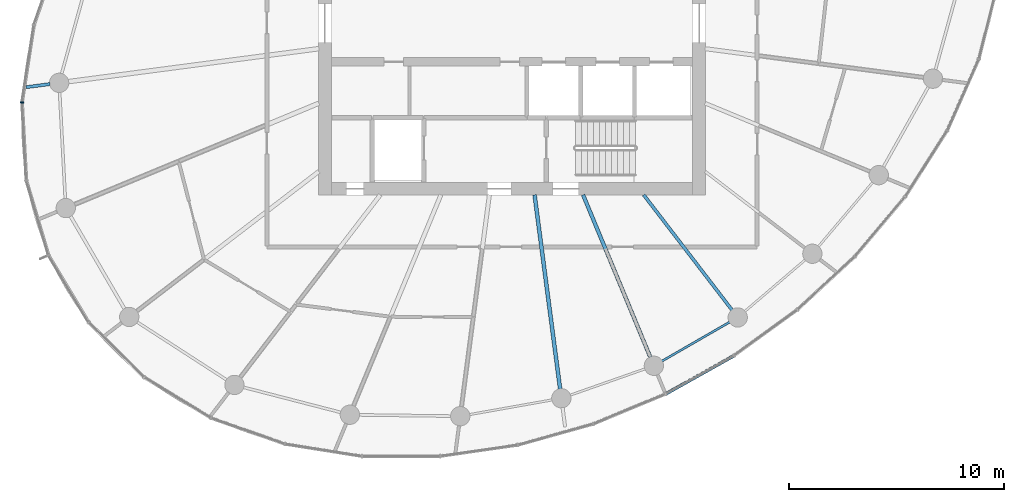
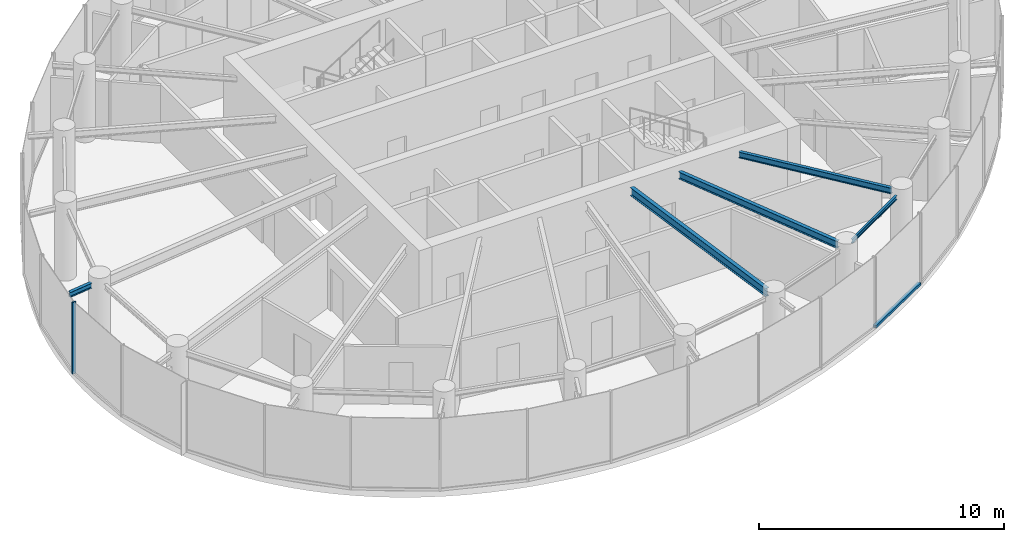
# One storey, part 3 of 14: 5 beams, 2 members, 2 elements without a shape of their own.
"""IFC4 building model written with IfcOpenShell, lengths in metres."""

import ifcopenshell
import ifcopenshell.guid

model = None  # the IFC model being written
_history = None  # IfcOwnerHistory: only IFC2X3 demands one
_inside = {}  # id of a spatial element -> (the spatial element, [elements in it])
_under = {}  # id of a project, library or spatial element -> (it, [spatial elements below it])
_declared = {}  # id of a project -> (the project, [libraries it declares])
_typed = {}  # id of a type object -> (the type object, [elements of that type])
_made_of = {}  # id of a material, layer set ... -> (it, [elements and type objects made of it])


def new_model(schema):
    """Start an empty IFC model of exactly this schema.

    Asked for "IFC4X3", IfcOpenShell would pick the latest addendum, in which some entities
    have other attributes; the version numbers below select the first issue.
    IFC2X3 requires an IfcOwnerHistory on every rooted entity: one is made here for all.
    """
    global model, _history
    if schema == "IFC4X3":
        model = ifcopenshell.file(schema_version=(4, 3, 0, 0))
    else:
        model = ifcopenshell.file(schema=schema)
    _inside.clear()
    _under.clear()
    _declared.clear()
    _typed.clear()
    _made_of.clear()
    _history = None
    if model.schema == "IFC2X3":
        org = make("IfcOrganization", Name="unknown")
        user = make(
            "IfcPersonAndOrganization",
            ThePerson=make("IfcPerson", FamilyName="unknown"),
            TheOrganization=org,
        )
        app = make(
            "IfcApplication",
            ApplicationDeveloper=org,
            Version="unknown",
            ApplicationFullName="unknown",
            ApplicationIdentifier="unknown",
        )
        _history = make(
            "IfcOwnerHistory",
            OwningUser=user,
            OwningApplication=app,
            ChangeAction="ADDED",
            CreationDate=0,
        )
    return model


def make(cls, **values):
    """One entity of the class cls with the attributes given. An attribute that is None is left unset."""
    return model.create_entity(
        cls, **{name: value for name, value in values.items() if value is not None}
    )


def rooted(cls, **values):
    """An entity with a GlobalId (a new one), such as an element, a storey or a relation."""
    return make(cls, GlobalId=ifcopenshell.guid.new(), OwnerHistory=_history, **values)


def si_unit(unit_type, name, prefix=None):
    """IfcSIUnit, for example si_unit("LENGTHUNIT", "METRE", prefix="MILLI")."""
    return make("IfcSIUnit", UnitType=unit_type, Prefix=prefix, Name=name)


def assignment(units):
    """IfcUnitAssignment: the units of a project."""
    return None if units is None else make("IfcUnitAssignment", Units=units)


def point(xyz):
    """IfcCartesianPoint."""
    return None if xyz is None else make("IfcCartesianPoint", Coordinates=xyz)


def direction(xyz):
    """IfcDirection."""
    return None if xyz is None else make("IfcDirection", DirectionRatios=xyz)


def frame(location, z_axis=None, x_axis=None):
    """IfcAxis2Placement3D, a coordinate frame: its origin and axes. An axis left out is left unset."""
    return make(
        "IfcAxis2Placement3D",
        Location=point(location),
        Axis=direction(z_axis),
        RefDirection=direction(x_axis),
    )


def frame_2d(location, x_axis=None):
    """IfcAxis2Placement2D, a coordinate frame in the plane: its origin and x axis."""
    return make(
        "IfcAxis2Placement2D", Location=point(location), RefDirection=direction(x_axis)
    )


def origin():
    """The frame at (0, 0, 0) with its axes left unset."""
    return frame((0.0, 0.0, 0.0))


def origin_2d():
    """The frame at (0, 0) in the plane with its x axis left unset."""
    return frame_2d((0.0, 0.0))


def place(relative_to, where):
    """IfcLocalPlacement: puts the frame where relative to a parent placement (None: the world)."""
    return make(
        "IfcLocalPlacement", PlacementRelTo=relative_to, RelativePlacement=where
    )


def context(
    kind, dimensions, precision=None, world=None, true_north=None, identifier=None
):
    """IfcGeometricRepresentationContext, for example the 3D "Model" context."""
    return make(
        "IfcGeometricRepresentationContext",
        ContextIdentifier=identifier,
        ContextType=kind,
        CoordinateSpaceDimension=dimensions,
        Precision=precision,
        WorldCoordinateSystem=world,
        TrueNorth=true_north,
    )


def subcontext(parent, identifier, kind, view, scale=None):
    """IfcGeometricRepresentationSubContext, for example "Body" below "Model"."""
    return make(
        "IfcGeometricRepresentationSubContext",
        ContextIdentifier=identifier,
        ContextType=kind,
        ParentContext=parent,
        TargetScale=scale,
        TargetView=view,
    )


def project(units=None, contexts=None):
    """IfcProject with its units and contexts."""
    return rooted(
        "IfcProject",
        Name="project",
        RepresentationContexts=contexts,
        UnitsInContext=assignment(units),
    )


def spatial(cls, under=None, at=None, **own):
    """A site, building, storey or space (cls), placed at a placement, below another one or the project."""
    s = rooted(cls, ObjectPlacement=at, **own)
    if under is not None:
        _under.setdefault(under.id(), (under, []))[1].append(s)
    return s


def profile(cls, at=None, kind="AREA", **sizes):
    """A parametric profile (cls). Its sizes go by their IFC names, for example OverallWidth=200.0."""
    return make(cls, ProfileType=kind, Position=at, **sizes)


def rectangle(**sizes):
    """IfcRectangleProfileDef."""
    return profile("IfcRectangleProfileDef", **sizes)


def i_section(**sizes):
    """IfcIShapeProfileDef."""
    return profile("IfcIShapeProfileDef", **sizes)


def extrude(swept, where, along, depth):
    """IfcExtrudedAreaSolid: the profile swept, set in the frame where, extruded along a direction by depth."""
    return make(
        "IfcExtrudedAreaSolid",
        SweptArea=swept,
        Position=where,
        ExtrudedDirection=direction(along),
        Depth=depth,
    )


def shape(context_of_items, identifier, shape_type, items):
    """IfcShapeRepresentation: the items that make up one representation, for example the "Body"."""
    return make(
        "IfcShapeRepresentation",
        ContextOfItems=context_of_items,
        RepresentationIdentifier=identifier,
        RepresentationType=shape_type,
        Items=items,
    )


def source(mapping_origin, context_of_items, identifier, shape_type, items):
    """IfcRepresentationMap: a shape defined once, which mapped items show again and again."""
    return make(
        "IfcRepresentationMap",
        MappingOrigin=mapping_origin,
        MappedRepresentation=shape(context_of_items, identifier, shape_type, items),
    )


def transform(
    local_origin,
    x_axis=None,
    y_axis=None,
    z_axis=None,
    scale=None,
    scale2=None,
    scale3=None,
    uniform=True,
):
    """IfcCartesianTransformationOperator3D, or its non-uniform kind. x_axis, y_axis, z_axis: its Axis1, 2, 3."""
    if uniform:
        return make(
            "IfcCartesianTransformationOperator3D",
            Axis1=direction(x_axis),
            Axis2=direction(y_axis),
            LocalOrigin=point(local_origin),
            Scale=scale,
            Axis3=direction(z_axis),
        )
    return make(
        "IfcCartesianTransformationOperator3DnonUniform",
        Axis1=direction(x_axis),
        Axis2=direction(y_axis),
        LocalOrigin=point(local_origin),
        Scale=scale,
        Axis3=direction(z_axis),
        Scale2=scale2,
        Scale3=scale3,
    )


def mapped(mapping_source, mapping_target):
    """IfcMappedItem: shows the shape of a source again, moved by a transform."""
    return make(
        "IfcMappedItem", MappingSource=mapping_source, MappingTarget=mapping_target
    )


def material(Name=None, Category=None):
    """IfcMaterial."""
    return make("IfcMaterial", Name=Name, Category=Category)


def layer(
    of_material, thickness, ventilated=None, Name=None, Category=None, Priority=None
):
    """IfcMaterialLayer: one layer of a wall or slab, of a material (None: an air gap)."""
    return make(
        "IfcMaterialLayer",
        Material=of_material,
        LayerThickness=thickness,
        IsVentilated=ventilated,
        Name=Name,
        Category=Category,
        Priority=Priority,
    )


def layer_set(layers, Name=None):
    """IfcMaterialLayerSet."""
    return make("IfcMaterialLayerSet", MaterialLayers=layers, LayerSetName=Name)


def material_profile(
    of_material, cross_section, Name=None, Category=None, Priority=None
):
    """IfcMaterialProfile: a cross section and its material."""
    return make(
        "IfcMaterialProfile",
        Name=Name,
        Material=of_material,
        Profile=cross_section,
        Priority=Priority,
        Category=Category,
    )


def profile_set(profiles, Name=None, composite=None):
    """IfcMaterialProfileSet."""
    return make(
        "IfcMaterialProfileSet",
        Name=Name,
        MaterialProfiles=profiles,
        CompositeProfile=composite,
    )


def made_of(thing, what):
    """Note that an element or type object is made of a material, layer set ...; save() writes the relation."""
    if what is not None:
        _made_of.setdefault(what.id(), (what, []))[1].append(thing)
    return thing


def type_object(cls, material=None, **own):
    """A type object (cls), such as IfcWallType, which elements share."""
    return made_of(rooted(cls, **own), material)


def element(
    cls,
    number,
    at=None,
    inside=None,
    cuts=None,
    type_object=None,
    material=None,
    context=None,
    identifier="Body",
    shape_type=None,
    held_by="IfcProductDefinitionShape",
    body=None,
    shapes=None,
    **own,
):
    """One element of the class cls, such as IfcWall. Its Tag is "e" and its number.

    at: its placement. inside: the storey or other place that contains it. cuts: it is an
    opening in that element (IfcRelVoidsElement). A single representation is given by context,
    identifier, shape_type and body (its items); several are given by shapes. held_by: the class
    of the entity that holds the representations. save() writes the other relations.
    """
    e = rooted(cls, Tag="e%d" % number, ObjectPlacement=at, **own)
    if body is not None:
        shapes = [shape(context, identifier, shape_type, body)]
    if shapes is not None:
        e.Representation = make(held_by, Representations=shapes)
    if inside is not None:
        _inside.setdefault(inside.id(), (inside, []))[1].append(e)
    if cuts is not None:
        rooted(
            "IfcRelVoidsElement", RelatingBuildingElement=cuts, RelatedOpeningElement=e
        )
    if type_object is not None:
        _typed.setdefault(type_object.id(), (type_object, []))[1].append(e)
    return made_of(e, material)


def aggregate(whole, parts):
    """IfcRelAggregates: a whole, such as a stair, and the parts it consists of."""
    return rooted("IfcRelAggregates", RelatingObject=whole, RelatedObjects=parts)


def save(model, path):
    """Write the relations noted so far, then the file.

    IfcRelAggregates (storeys below a building ...), IfcRelContainedInSpatialStructure (elements
    in a storey), IfcRelDefinesByType, IfcRelAssociatesMaterial and IfcRelDeclares: one each for
    every whole, place, type object, material and project.
    """
    for whole, parts in _under.values():
        aggregate(whole, parts)
    for where, things in _inside.values():
        rooted(
            "IfcRelContainedInSpatialStructure",
            RelatedElements=things,
            RelatingStructure=where,
        )
    for kind, things in _typed.values():
        rooted("IfcRelDefinesByType", RelatedObjects=things, RelatingType=kind)
    for what, things in _made_of.values():
        rooted("IfcRelAssociatesMaterial", RelatedObjects=things, RelatingMaterial=what)
    for by, libraries in _declared.values():
        rooted("IfcRelDeclares", RelatingContext=by, RelatedDefinitions=libraries)
    model.write(path)


model = new_model("IFC4")

# Units and contexts
model_context = context("Model", 3, precision=1e-05, world=origin(), true_north=direction((0.0, 1.0)))
body_context = subcontext(model_context, "Body", "Model", "MODEL_VIEW")
ifc_project = project(units=[si_unit("LENGTHUNIT", "METRE"), si_unit("AREAUNIT", "SQUARE_METRE"), si_unit("VOLUMEUNIT", "CUBIC_METRE"), si_unit("PLANEANGLEUNIT", "RADIAN"), si_unit("MASSUNIT", "GRAM", prefix="KILO")], contexts=[model_context])

# Site, building, storey
site_placement = place(None, origin())
site = spatial("IfcSite", under=ifc_project, at=site_placement, CompositionType="ELEMENT")
building_placement = place(site_placement, origin())
building = spatial("IfcBuilding", under=site, at=building_placement, Name="Spindrift Exchange Tower", CompositionType="ELEMENT")
storey_placement = place(building_placement, frame((0.0, 0.0, 211.10009765625)))
storey = spatial("IfcBuildingStorey", under=building, at=storey_placement, Name="L51", CompositionType="ELEMENT", Elevation=211.10009765625)

# Beams
ifc_material_1 = material(Name="Steel Grade 300", Category="steel")
ifc_material_profile_1 = material_profile(ifc_material_1, i_section(OverallWidth=0.177978515625, OverallDepth=0.403076171875, WebThickness=0.007568359375, FlangeThickness=0.010986328125, FilletRadius=0.013916015625, at=origin_2d()), Name="410UB53.7")
ifc_profile_set_1 = profile_set([ifc_material_profile_1], Name="Steel Grade 300")
beam_type_1 = type_object("IfcBeamType", Name="Floor Beam 410UB53.7 Steel Grade 300", PredefinedType="BEAM", material=ifc_profile_set_1)
shared_shape_1 = source(origin(), body_context, "Body", "SweptSolid", [
    extrude(i_section(OverallWidth=0.177978515625, OverallDepth=0.403076171875, WebThickness=0.007568359375, FlangeThickness=0.010986328125, FilletRadius=0.013916015625, at=origin_2d()), origin(), (0.0, 0.0, 1.0), 9.11376953125),
])
beam_1_placement = place(storey_placement, frame((53.050537109375, 40.019775390625, 3.37841796875), z_axis=(0.130536972606, -0.991443442049, 0.0), x_axis=(0.991443442049, 0.130536972606, 0.0)))
element("IfcBeam", 1, at=beam_1_placement, inside=storey, type_object=beam_type_1, Name="L51 radial beam R19A", PredefinedType="BEAM", context=body_context, shape_type="MappedRepresentation", body=[
    mapped(shared_shape_1, transform((0.0, 0.0, 0.0), scale=1.0)),
])
ifc_material_profile_2 = material_profile(ifc_material_1, i_section(OverallWidth=0.1708984375, OverallDepth=0.35205078125, WebThickness=0.0068359375, FlangeThickness=0.009765625, FilletRadius=0.013916015625, at=origin_2d()), Name="360UB44.7")
ifc_profile_set_2 = profile_set([ifc_material_profile_2], Name="Steel Grade 300")
beam_type_2 = type_object("IfcBeamType", Name="Floor Beam 360UB44.7 Steel Grade 300", PredefinedType="BEAM", material=ifc_profile_set_2)
shared_shape_2 = source(origin(), body_context, "Body", "SweptSolid", [
    extrude(i_section(OverallWidth=0.1708984375, OverallDepth=0.35205078125, WebThickness=0.0068359375, FlangeThickness=0.009765625, FilletRadius=0.013916015625, at=origin_2d()), origin(), (0.0, 0.0, 1.0), 8.1748046875),
])
beam_2_placement = place(storey_placement, frame((55.30615234375, 40.0185546875, 3.40380859375), z_axis=(0.382655117626, -0.923891260352, 0.0), x_axis=(0.923891260352, 0.382655117626, 0.0)))
element("IfcBeam", 2, at=beam_2_placement, inside=storey, type_object=beam_type_2, Name="L51 radial beam R20A", PredefinedType="BEAM", context=body_context, shape_type="MappedRepresentation", body=[
    mapped(shared_shape_2, transform((0.0, 0.0, 0.0), scale=1.0)),
])
ifc_material_profile_3 = material_profile(ifc_material_1, i_section(OverallWidth=0.14892578125, OverallDepth=0.298095703125, WebThickness=0.005615234375, FlangeThickness=0.008056640625, FilletRadius=0.012939453125, at=origin_2d()), Name="310UB32.0")
ifc_profile_set_3 = profile_set([ifc_material_profile_3], Name="Steel Grade 300")
beam_type_3 = type_object("IfcBeamType", Name="Floor Beam 310UB32.0 Steel Grade 300", PredefinedType="BEAM", material=ifc_profile_set_3)
shared_shape_3 = source(origin(), body_context, "Body", "SweptSolid", [
    extrude(i_section(OverallWidth=0.14892578125, OverallDepth=0.298095703125, WebThickness=0.005615234375, FlangeThickness=0.008056640625, FilletRadius=0.012939453125, at=origin_2d()), origin(), (0.0, 0.0, 1.0), 6.753173828125),
])
beam_3_placement = place(storey_placement, frame((58.12646484375, 40.015869140625, 3.430908203125), z_axis=(0.608761639459, -0.793353178807, 0.0), x_axis=(0.793353178807, 0.608761639459, 0.0)))
element("IfcBeam", 3, at=beam_3_placement, inside=storey, type_object=beam_type_3, Name="L51 radial beam R21A", PredefinedType="BEAM", context=body_context, shape_type="MappedRepresentation", body=[
    mapped(shared_shape_3, transform((0.0, 0.0, 0.0), scale=1.0)),
])
ifc_material_profile_4 = material_profile(ifc_material_1, i_section(OverallWidth=0.09912109375, OverallDepth=0.197998046875, WebThickness=0.00439453125, FlangeThickness=0.007080078125, FilletRadius=0.010986328125, at=origin_2d()), Name="200UB18.2")
ifc_profile_set_4 = profile_set([ifc_material_profile_4], Name="Steel Grade 300")
beam_type_4 = type_object("IfcBeamType", Name="Edge Beam 200UB18.2 Steel Grade 300", PredefinedType="SPANDREL", material=ifc_profile_set_4)
shared_shape_4 = source(origin(), body_context, "Body", "SweptSolid", [
    extrude(i_section(OverallWidth=0.09912109375, OverallDepth=0.197998046875, WebThickness=0.00439453125, FlangeThickness=0.007080078125, FilletRadius=0.010986328125, at=origin_2d()), origin(), (0.0, 0.0, 1.0), 3.64208984375),
])
beam_4_placement = place(storey_placement, frame((58.971435546875, 32.283447265625, 3.48095703125), z_axis=(0.866364093123, 0.499412913476, 0.0), x_axis=(-0.499412913476, 0.866364093123, 0.0)))
element("IfcBeam", 4, at=beam_4_placement, inside=storey, type_object=beam_type_4, Name="L51 edge beam E20", PredefinedType="SPANDREL", context=body_context, shape_type="MappedRepresentation", body=[
    mapped(shared_shape_4, transform((0.0, 0.0, 0.0), scale=1.0)),
])
ifc_material_profile_5 = material_profile(ifc_material_1, i_section(OverallWidth=0.14599609375, OverallDepth=0.251953125, WebThickness=0.006103515625, FlangeThickness=0.008544921875, FilletRadius=0.011962890625, at=origin_2d()), Name="250UB31.4")
ifc_profile_set_5 = profile_set([ifc_material_profile_5], Name="Steel Grade 300")
beam_type_5 = type_object("IfcBeamType", Name="Cantilever Beam 250UB31.4 Steel Grade 300", PredefinedType="BEAM", material=ifc_profile_set_5)
shared_shape_5 = source(origin(), body_context, "Body", "SweptSolid", [
    extrude(i_section(OverallWidth=0.14599609375, OverallDepth=0.251953125, WebThickness=0.006103515625, FlangeThickness=0.008544921875, FilletRadius=0.011962890625, at=origin_2d()), origin(), (0.0, 0.0, 1.0), 1.1220703125),
])
beam_5_placement = place(storey_placement, frame((30.511474609375, 45.1708984375, 3.453857421875), z_axis=(-0.991443184143, -0.130538931421, 0.0), x_axis=(0.130538931421, -0.991443184143, 0.0)))
element("IfcBeam", 5, at=beam_5_placement, inside=storey, type_object=beam_type_5, Name="L51 cantilever beam R13T", PredefinedType="BEAM", context=body_context, shape_type="MappedRepresentation", body=[
    mapped(shared_shape_5, transform((0.0, 0.0, 0.0), scale=1.0)),
])

# Curtain wall, member
ifc_material_2 = material(Name="Fritted laminated glass with bronze frame", Category="glass")
ifc_layer = layer(ifc_material_2, 0.169921875)
ifc_layer_set = layer_set([ifc_layer], Name="ZONE 4 BRONZE FRITTED WALL")
curtain_wall_type = type_object("IfcCurtainWallType", Name="ZONE 4 BRONZE FRITTED WALL", PredefinedType="NOTDEFINED", material=ifc_layer_set)
curtain_wall_1_placement = place(storey_placement, origin())
curtain_wall_1 = element("IfcCurtainWall", 6, at=curtain_wall_1_placement, inside=storey, type_object=curtain_wall_type, Name="L51 Zone 4 Bronze Fritted Wall run 3", PredefinedType="NOTDEFINED")
ifc_material_3 = material(Name="Bronze anodised aluminium", Category="aluminium")
ifc_material_profile_6 = material_profile(ifc_material_3, rectangle(XDim=0.06494140625, YDim=0.169921875, at=origin_2d()), Name="ZONE 4 BRONZE FRITTED WALL MULLION 65X170")
ifc_profile_set_6 = profile_set([ifc_material_profile_6], Name="Bronze anodised aluminium")
member_type_1 = type_object("IfcMemberType", Name="ZONE 4 BRONZE FRITTED WALL MULLION 65X170", PredefinedType="MULLION", material=ifc_profile_set_6)
shared_shape_6 = source(origin(), body_context, "Body", "SweptSolid", [
    extrude(rectangle(XDim=0.06494140625, YDim=0.169921875, at=origin_2d()), origin(), (0.0, 0.0, 1.0), 3.579833984375),
])
member_1_placement = place(storey_placement, frame((29.2041015625, 44.3203125, 0.0), z_axis=(0.0, 0.0, 1.0), x_axis=(-0.048958139327, -0.998800831294, 0.0)))
member_1 = element("IfcMember", 7, at=member_1_placement, type_object=member_type_1, Name="L51 mullion CW-4.17", PredefinedType="MULLION", context=body_context, shape_type="MappedRepresentation", body=[
    mapped(shared_shape_6, transform((0.0, 0.0, 0.0), scale=1.0)),
])
aggregate(curtain_wall_1, [member_1])

curtain_wall_2_placement = place(storey_placement, origin())
curtain_wall_2 = element("IfcCurtainWall", 8, at=curtain_wall_2_placement, inside=storey, type_object=curtain_wall_type, Name="L51 Zone 4 Bronze Fritted Wall run 5", PredefinedType="NOTDEFINED")
ifc_material_profile_7 = material_profile(ifc_material_3, rectangle(XDim=0.14990234375, YDim=0.125, at=origin_2d()), Name="ZONE 4 BRONZE FRITTED WALL TRANSOM 150X125")
ifc_profile_set_7 = profile_set([ifc_material_profile_7], Name="Bronze anodised aluminium")
member_type_2 = type_object("IfcMemberType", Name="ZONE 4 BRONZE FRITTED WALL TRANSOM 150X125", PredefinedType="USERDEFINED", material=ifc_profile_set_7)
shared_shape_7 = source(origin(), body_context, "Body", "SweptSolid", [
    extrude(rectangle(XDim=0.14990234375, YDim=0.125, at=origin_2d()), origin(), (0.0, 0.0, 1.0), 3.57763671875),
])
member_2_placement = place(storey_placement, frame((59.175537109375, 30.771728515625, 0.0625), z_axis=(0.872436188774, 0.488728039421, 0.0), x_axis=(-0.488728039421, 0.872436188774, 0.0)))
member_2 = element("IfcMember", 9, at=member_2_placement, type_object=member_type_2, Name="L51 transom CW-4.28", ObjectType="TRANSOM", PredefinedType="USERDEFINED", context=body_context, shape_type="MappedRepresentation", body=[
    mapped(shared_shape_7, transform((0.0, 0.0, 0.0), scale=1.0)),
])
aggregate(curtain_wall_2, [member_2])

save(model, "model.ifc")
